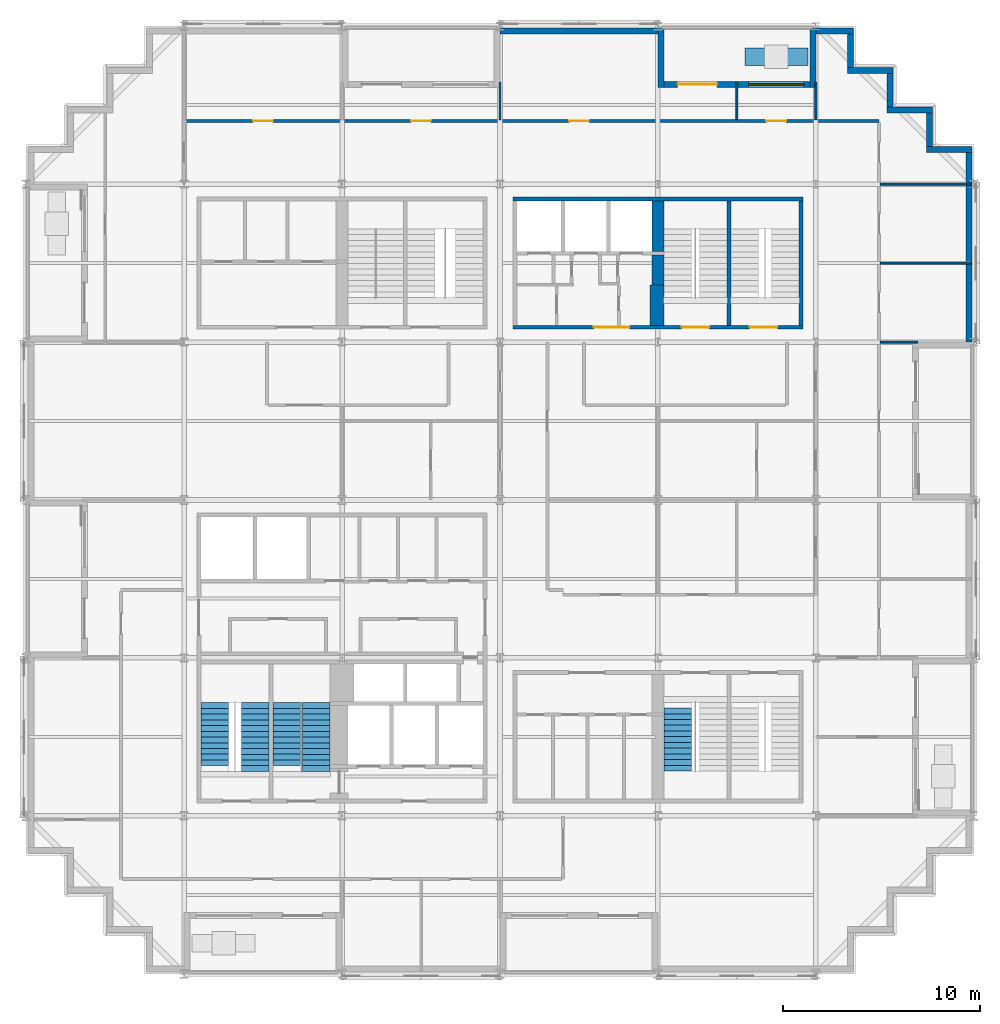
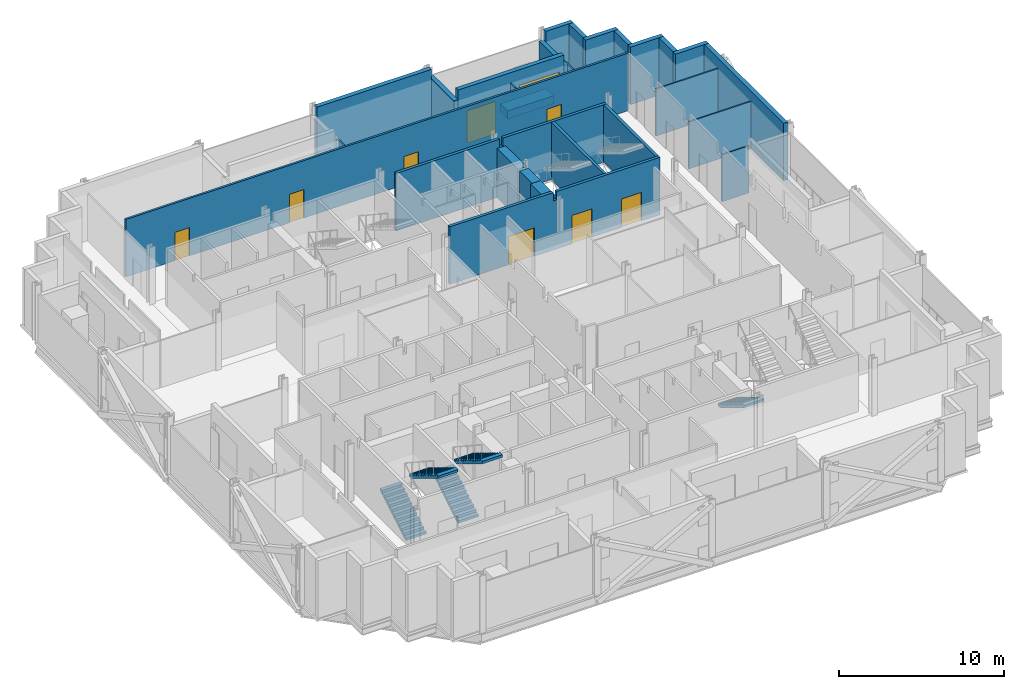
# One storey, part 11 of 15: 27 walls, 8 doors, 5 stair flights, 1 window, 9 openings, 3 elements without a shape of their own.
"""IFC4 building model written with IfcOpenShell, lengths in metres."""

from ifc_helpers import new_model, si_unit, direction, frame, frame_2d, origin, place, context, subcontext, project, spatial, polyline, rectangle, outline, extrude, material, layer, layer_set, type_object, element, fill, aggregate, save


model = new_model("IFC4")

# Units and contexts
model_context = context("Model", 3, precision=1e-05, world=origin(), true_north=direction((0.0, 1.0)))
body_context = subcontext(model_context, "Body", "Model", "MODEL_VIEW")
ifc_project = project(units=[si_unit("LENGTHUNIT", "METRE"), si_unit("AREAUNIT", "SQUARE_METRE"), si_unit("VOLUMEUNIT", "CUBIC_METRE"), si_unit("PLANEANGLEUNIT", "RADIAN"), si_unit("MASSUNIT", "GRAM", prefix="KILO")], contexts=[model_context])

# Site, building, storey
site_placement = place(None, origin())
site = spatial("IfcSite", under=ifc_project, at=site_placement, CompositionType="ELEMENT")
building_placement = place(site_placement, origin())
building = spatial("IfcBuilding", under=site, at=building_placement, Name="Immortelle Media Tower", CompositionType="ELEMENT")
storey_placement = place(building_placement, frame((0.0, 0.0, 87.60009765625)))
storey = spatial("IfcBuildingStorey", under=building, at=storey_placement, Name="L16", CompositionType="ELEMENT", Elevation=87.60009765625)

# Wall, openings, doors
ifc_material_1 = material(Name="Fire-rated gypsum board", Category="gypsum")
ifc_layer_1 = layer(ifc_material_1, 0.012451171875)
ifc_material_2 = material(Name="Steel ASTM A653 SS Gr 50 stud frame with mineral wool", Category="steel")
ifc_layer_2 = layer(ifc_material_2, 0.125)
ifc_layer_3 = layer(ifc_material_1, 0.012451171875)
ifc_layer_set_1 = layer_set([ifc_layer_1, ifc_layer_2, ifc_layer_3], Name="Steel ASTM A653 SS Gr 50 stud frame with mineral wool")
wall_type_1 = type_object("IfcWallType", Name="Corridor wall 150", PredefinedType="PARTITIONING", material=ifc_layer_set_1)
wall_1_placement = place(storey_placement, frame((8.050048828125, 43.199951171875, 0.0), z_axis=(0.0, 0.0, 1.0), x_axis=(1.0, 0.0, 0.0)))
wall_1 = element("IfcWall", 1, at=wall_1_placement, inside=storey, type_object=wall_type_1, Name="Partition L16-051", PredefinedType="PARTITIONING", context=body_context, shape_type="SweptSolid", body=[
    extrude(rectangle(XDim=35.14990234375, YDim=0.14990234375, at=frame_2d((17.574951171875, 0.0))), origin(), (0.0, 0.0, 1.0), 4.25),
])
opening_1_placement = place(wall_1_placement, frame((3.449951171875, 0.0, 0.0)))
opening_1 = element("IfcOpeningElement", 2, at=opening_1_placement, cuts=wall_1, Name="Opening N5-F027", PredefinedType="OPENING", context=body_context, shape_type="SweptSolid", body=[
    extrude(rectangle(XDim=1.0, YDim=2.10009765625, at=frame_2d((0.5, 1.050048828125))), frame((0.0, 0.0849609375, 0.0), z_axis=(0.0, -1.0, 0.0), x_axis=(1.0, 0.0, 0.0)), (0.0, 0.0, 1.0), 0.169921875),
])
opening_2_placement = place(wall_1_placement, frame((11.449951171875, 0.0, 0.0)))
opening_2 = element("IfcOpeningElement", 3, at=opening_2_placement, cuts=wall_1, Name="Opening N5-F028", PredefinedType="OPENING", context=body_context, shape_type="SweptSolid", body=[
    extrude(rectangle(XDim=1.0, YDim=2.10009765625, at=frame_2d((0.5, 1.050048828125))), frame((0.0, 0.0849609375, 0.0), z_axis=(0.0, -1.0, 0.0), x_axis=(1.0, 0.0, 0.0)), (0.0, 0.0, 1.0), 0.169921875),
])
opening_3_placement = place(wall_1_placement, frame((19.449951171875, 0.0, 0.0)))
opening_3 = element("IfcOpeningElement", 4, at=opening_3_placement, cuts=wall_1, Name="Opening N5-F029", PredefinedType="OPENING", context=body_context, shape_type="SweptSolid", body=[
    extrude(rectangle(XDim=1.0, YDim=2.10009765625, at=frame_2d((0.5, 1.050048828125))), frame((0.0, 0.0849609375, 0.0), z_axis=(0.0, -1.0, 0.0), x_axis=(1.0, 0.0, 0.0)), (0.0, 0.0, 1.0), 0.169921875),
])
opening_4_placement = place(wall_1_placement, frame((29.449951171875, 0.0, 0.0)))
opening_4 = element("IfcOpeningElement", 5, at=opening_4_placement, cuts=wall_1, Name="Opening N5-F030", PredefinedType="OPENING", context=body_context, shape_type="SweptSolid", body=[
    extrude(rectangle(XDim=1.0, YDim=2.10009765625, at=frame_2d((0.5, 1.050048828125))), frame((0.0, 0.0849609375, 0.0), z_axis=(0.0, -1.0, 0.0), x_axis=(1.0, 0.0, 0.0)), (0.0, 0.0, 1.0), 0.169921875),
])
ifc_material_3 = material(Name="Timber veneered door leaf, galvanised steel frame ASTM A653", Category="steel")
door_type_1 = type_object("IfcDoorType", Name="Room door 1000 x 2100", OperationType="NOTDEFINED", PredefinedType="DOOR", material=ifc_material_3)
door_1_placement = place(opening_1_placement, origin())
door_1 = element("IfcDoor", 6, at=door_1_placement, inside=storey, type_object=door_type_1, Name="Door N5-F027", OperationType="SINGLE_SWING_LEFT", OverallHeight=2.10009765625, OverallWidth=1.0, PredefinedType="DOOR", context=body_context, shape_type="SweptSolid", body=[
    extrude(rectangle(XDim=1.0, YDim=2.10009765625, at=frame_2d((0.5, 1.050048828125))), frame((0.0, 0.02490234375, 0.0), z_axis=(0.0, -1.0, 0.0), x_axis=(1.0, 0.0, 0.0)), (0.0, 0.0, 1.0), 0.050048828125),
])
fill(opening_1, door_1)
door_2_placement = place(opening_2_placement, origin())
door_2 = element("IfcDoor", 7, at=door_2_placement, inside=storey, type_object=door_type_1, Name="Door N5-F028", OperationType="SINGLE_SWING_RIGHT", OverallHeight=2.10009765625, OverallWidth=1.0, PredefinedType="DOOR", context=body_context, shape_type="SweptSolid", body=[
    extrude(rectangle(XDim=1.0, YDim=2.10009765625, at=frame_2d((0.5, 1.050048828125))), frame((0.0, 0.02490234375, 0.0), z_axis=(0.0, -1.0, 0.0), x_axis=(1.0, 0.0, 0.0)), (0.0, 0.0, 1.0), 0.050048828125),
])
fill(opening_2, door_2)
door_3_placement = place(opening_3_placement, origin())
door_3 = element("IfcDoor", 8, at=door_3_placement, inside=storey, type_object=door_type_1, Name="Door N5-F029", OperationType="SINGLE_SWING_LEFT", OverallHeight=2.10009765625, OverallWidth=1.0, PredefinedType="DOOR", context=body_context, shape_type="SweptSolid", body=[
    extrude(rectangle(XDim=1.0, YDim=2.10009765625, at=frame_2d((0.5, 1.050048828125))), frame((0.0, 0.02490234375, 0.0), z_axis=(0.0, -1.0, 0.0), x_axis=(1.0, 0.0, 0.0)), (0.0, 0.0, 1.0), 0.050048828125),
])
fill(opening_3, door_3)
door_4_placement = place(opening_4_placement, origin())
door_4 = element("IfcDoor", 9, at=door_4_placement, inside=storey, type_object=door_type_1, Name="Door N5-F030", OperationType="SINGLE_SWING_RIGHT", OverallHeight=2.10009765625, OverallWidth=1.0, PredefinedType="DOOR", context=body_context, shape_type="SweptSolid", body=[
    extrude(rectangle(XDim=1.0, YDim=2.10009765625, at=frame_2d((0.5, 1.050048828125))), frame((0.0, 0.02490234375, 0.0), z_axis=(0.0, -1.0, 0.0), x_axis=(1.0, 0.0, 0.0)), (0.0, 0.0, 1.0), 0.050048828125),
])
fill(opening_4, door_4)

# Walls
ifc_material_4 = material(Name="Pale aluminium cladding panel", Category="aluminium")
ifc_layer_4 = layer(ifc_material_4, 0.030029296875)
ifc_layer_5 = layer(ifc_material_2, 0.257568359375)
ifc_material_5 = material(Name="Moisture-resistant gypsum board", Category="gypsum")
ifc_layer_6 = layer(ifc_material_5, 0.012451171875)
ifc_layer_set_2 = layer_set([ifc_layer_4, ifc_layer_5, ifc_layer_6], Name="Steel ASTM A653 SS Gr 50 stud frame with mineral wool")
wall_type_2 = type_object("IfcWallType", Name="Facade wall 300", PredefinedType="SOLIDWALL", material=ifc_layer_set_2)
wall_2_placement = place(storey_placement, frame((47.75, 32.0, 0.0), z_axis=(0.0, 0.0, 1.0), x_axis=(0.0, 1.0, 0.0)))
element("IfcWall", 10, at=wall_2_placement, inside=storey, type_object=wall_type_2, Name="Facade wall L16 E14", PredefinedType="SOLIDWALL", context=body_context, shape_type="SweptSolid", body=[
    extrude(rectangle(XDim=9.60009765625, YDim=0.300048828125, at=frame_2d((4.800048828125, 0.0))), origin(), (0.0, 0.0, 1.0), 4.25),
])
wall_3_placement = place(storey_placement, frame((47.89990234375, 41.75, 0.0), z_axis=(0.0, 0.0, 1.0), x_axis=(-1.0, 0.0, 0.0)))
element("IfcWall", 11, at=wall_3_placement, inside=storey, type_object=wall_type_2, Name="Facade wall L16 N15", PredefinedType="SOLIDWALL", context=body_context, shape_type="SweptSolid", body=[
    extrude(rectangle(XDim=2.2998046875, YDim=0.300048828125, at=frame_2d((1.14990234375, 0.0))), origin(), (0.0, 0.0, 1.0), 4.25),
])
wall_4_placement = place(storey_placement, frame((45.75, 41.89990234375, 0.0), z_axis=(0.0, 0.0, 1.0), x_axis=(0.0, 1.0, 0.0)))
element("IfcWall", 12, at=wall_4_placement, inside=storey, type_object=wall_type_2, Name="Facade wall L16 E16", PredefinedType="SOLIDWALL", context=body_context, shape_type="SweptSolid", body=[
    extrude(rectangle(XDim=1.7001953125, YDim=0.300048828125, at=frame_2d((0.85009765625, 0.0))), origin(), (0.0, 0.0, 1.0), 4.25),
])
wall_5_placement = place(storey_placement, frame((45.89990234375, 43.75, 0.0), z_axis=(0.0, 0.0, 1.0), x_axis=(-1.0, 0.0, 0.0)))
element("IfcWall", 13, at=wall_5_placement, inside=storey, type_object=wall_type_2, Name="Facade wall L16 N17", PredefinedType="SOLIDWALL", context=body_context, shape_type="SweptSolid", body=[
    extrude(rectangle(XDim=2.2998046875, YDim=0.300048828125, at=frame_2d((1.14990234375, 0.0))), origin(), (0.0, 0.0, 1.0), 4.25),
])
wall_6_placement = place(storey_placement, frame((43.75, 43.89990234375, 0.0), z_axis=(0.0, 0.0, 1.0), x_axis=(0.0, 1.0, 0.0)))
element("IfcWall", 14, at=wall_6_placement, inside=storey, type_object=wall_type_2, Name="Facade wall L16 E18", PredefinedType="SOLIDWALL", context=body_context, shape_type="SweptSolid", body=[
    extrude(rectangle(XDim=1.7001953125, YDim=0.300048828125, at=frame_2d((0.85009765625, 0.0))), origin(), (0.0, 0.0, 1.0), 4.25),
])
wall_7_placement = place(storey_placement, frame((43.89990234375, 45.75, 0.0), z_axis=(0.0, 0.0, 1.0), x_axis=(-1.0, 0.0, 0.0)))
element("IfcWall", 15, at=wall_7_placement, inside=storey, type_object=wall_type_2, Name="Facade wall L16 N19", PredefinedType="SOLIDWALL", context=body_context, shape_type="SweptSolid", body=[
    extrude(rectangle(XDim=2.2998046875, YDim=0.300048828125, at=frame_2d((1.14990234375, 0.0))), origin(), (0.0, 0.0, 1.0), 4.25),
])
wall_8_placement = place(storey_placement, frame((41.75, 45.89990234375, 0.0), z_axis=(0.0, 0.0, 1.0), x_axis=(0.0, 1.0, 0.0)))
element("IfcWall", 16, at=wall_8_placement, inside=storey, type_object=wall_type_2, Name="Facade wall L16 E20", PredefinedType="SOLIDWALL", context=body_context, shape_type="SweptSolid", body=[
    extrude(rectangle(XDim=1.7001953125, YDim=0.300048828125, at=frame_2d((0.85009765625, 0.0))), origin(), (0.0, 0.0, 1.0), 4.25),
])
wall_9_placement = place(storey_placement, frame((41.89990234375, 47.75, 0.0), z_axis=(0.0, 0.0, 1.0), x_axis=(-1.0, 0.0, 0.0)))
element("IfcWall", 17, at=wall_9_placement, inside=storey, type_object=wall_type_2, Name="Facade wall L16 N21", PredefinedType="SOLIDWALL", context=body_context, shape_type="SweptSolid", body=[
    extrude(rectangle(XDim=1.89990234375, YDim=0.300048828125, at=frame_2d((0.949951171875, 0.0))), origin(), (0.0, 0.0, 1.0), 4.25),
])

# Wall, openings, door, window
wall_10_placement = place(storey_placement, frame((39.699951171875, 45.050048828125, 0.0), z_axis=(0.0, 0.0, 1.0), x_axis=(-1.0, 0.0, 0.0)))
wall_10 = element("IfcWall", 18, at=wall_10_placement, inside=storey, type_object=wall_type_2, Name="Loggia wall L16 N21", PredefinedType="SOLIDWALL", context=body_context, shape_type="SweptSolid", body=[
    extrude(rectangle(XDim=7.39990234375, YDim=0.300048828125, at=frame_2d((3.699951171875, 0.0))), origin(), (0.0, 0.0, 1.0), 4.25),
])
opening_5_placement = place(wall_10_placement, frame((0.300048828125, 0.0, 0.89990234375)))
opening_5 = element("IfcOpeningElement", 19, at=opening_5_placement, cuts=wall_10, Name="Opening W1", PredefinedType="OPENING", context=body_context, shape_type="SweptSolid", body=[
    extrude(rectangle(XDim=2.800048828125, YDim=2.199951171875, at=frame_2d((1.39990234375, 1.10009765625))), frame((0.0, 0.159912109375, 0.0), z_axis=(0.0, -1.0, 0.0), x_axis=(1.0, 0.0, 0.0)), (0.0, 0.0, 1.0), 0.320068359375),
])
opening_6_placement = place(wall_10_placement, frame((4.699951171875, 0.0, 0.0)))
opening_6 = element("IfcOpeningElement", 20, at=opening_6_placement, cuts=wall_10, Name="Opening N5-E007", PredefinedType="OPENING", context=body_context, shape_type="SweptSolid", body=[
    extrude(rectangle(XDim=2.0, YDim=2.39990234375, at=frame_2d((1.0, 1.199951171875))), frame((0.0, 0.159912109375, 0.0), z_axis=(0.0, -1.0, 0.0), x_axis=(1.0, 0.0, 0.0)), (0.0, 0.0, 1.0), 0.320068359375),
])
ifc_material_6 = material(Name="Aluminium frame, glazed leaves", Category="aluminium")
door_type_2 = type_object("IfcDoorType", Name="Loggia door 2000 x 2400", OperationType="DOUBLE_DOOR_SINGLE_SWING", PredefinedType="DOOR", material=ifc_material_6)
door_5_placement = place(opening_6_placement, origin())
door_5 = element("IfcDoor", 21, at=door_5_placement, inside=storey, type_object=door_type_2, Name="Door N5-E007", OperationType="DOUBLE_DOOR_SINGLE_SWING", OverallHeight=2.39990234375, OverallWidth=2.0, PredefinedType="DOOR", context=body_context, shape_type="SweptSolid", body=[
    extrude(rectangle(XDim=2.0, YDim=2.39990234375, at=frame_2d((1.0, 1.199951171875))), frame((0.0, 0.02490234375, 0.0), z_axis=(0.0, -1.0, 0.0), x_axis=(1.0, 0.0, 0.0)), (0.0, 0.0, 1.0), 0.050048828125),
])
fill(opening_6, door_5)
ifc_material_7 = material(Name="Aluminium frame", Category="aluminium")
window_type = type_object("IfcWindowType", Name="Window 2800 x 2200", PartitioningType="SINGLE_PANEL", PredefinedType="WINDOW", material=ifc_material_7)
window_placement = place(opening_5_placement, origin())
window = element("IfcWindow", 22, at=window_placement, inside=storey, type_object=window_type, Name="Window L16 L16-R21-B0", OverallHeight=2.199951171875, OverallWidth=2.800048828125, PartitioningType="SINGLE_PANEL", PredefinedType="WINDOW", context=body_context, shape_type="SweptSolid", body=[
    extrude(rectangle(XDim=2.800048828125, YDim=2.199951171875, at=frame_2d((1.39990234375, 1.10009765625))), frame((0.0, 0.030029296875, 0.0), z_axis=(0.0, -1.0, 0.0), x_axis=(1.0, 0.0, 0.0)), (0.0, 0.0, 1.0), 0.06005859375),
])
fill(opening_5, window)

# Walls
wall_11_placement = place(storey_placement, frame((39.85009765625, 47.89990234375, 0.0), z_axis=(0.0, 0.0, 1.0), x_axis=(0.0, -1.0, 0.0)))
element("IfcWall", 23, at=wall_11_placement, inside=storey, type_object=wall_type_2, Name="Loggia cheek wall L16 N", PredefinedType="SOLIDWALL", context=body_context, shape_type="SweptSolid", body=[
    extrude(rectangle(XDim=3.0, YDim=0.300048828125, at=frame_2d((1.5, 0.0))), origin(), (0.0, 0.0, 1.0), 3.468994140625),
])
wall_12_placement = place(storey_placement, frame((32.14990234375, 47.89990234375, 0.0), z_axis=(0.0, 0.0, 1.0), x_axis=(0.0, -1.0, 0.0)))
element("IfcWall", 24, at=wall_12_placement, inside=storey, type_object=wall_type_2, Name="Loggia cheek wall L16 N", PredefinedType="SOLIDWALL", context=body_context, shape_type="SweptSolid", body=[
    extrude(rectangle(XDim=3.0, YDim=0.300048828125, at=frame_2d((1.5, 0.0))), origin(), (0.0, 0.0, 1.0), 3.555908203125),
])
wall_13_placement = place(storey_placement, frame((32.0, 47.75, 0.0), z_axis=(0.0, 0.0, 1.0), x_axis=(-1.0, 0.0, 0.0)))
element("IfcWall", 25, at=wall_13_placement, inside=storey, type_object=wall_type_2, Name="Facade wall L16 N21", PredefinedType="SOLIDWALL", context=body_context, shape_type="SweptSolid", body=[
    extrude(rectangle(XDim=8.0, YDim=0.300048828125, at=frame_2d((4.0, 0.0))), origin(), (0.0, 0.0, 1.0), 4.25),
])
ifc_material_8 = material(Name="Gypsum board", Category="gypsum")
ifc_layer_7 = layer(ifc_material_8, 0.012451171875)
ifc_layer_8 = layer(ifc_material_2, 0.074951171875)
ifc_layer_9 = layer(ifc_material_8, 0.012451171875)
ifc_layer_set_3 = layer_set([ifc_layer_7, ifc_layer_8, ifc_layer_9], Name="Steel ASTM A653 SS Gr 50 stud frame with mineral wool")
wall_type_3 = type_object("IfcWallType", Name="Partition 100", PredefinedType="PARTITIONING", material=ifc_layer_set_3)
wall_14_placement = place(storey_placement, frame((43.27490234375, 32.0, 0.0), z_axis=(0.0, 0.0, 1.0), x_axis=(1.0, 0.0, 0.0)))
element("IfcWall", 26, at=wall_14_placement, inside=storey, type_object=wall_type_3, Name="Partition L16-047", PredefinedType="PARTITIONING", context=body_context, shape_type="SweptSolid", body=[
    extrude(rectangle(XDim=1.89501953125, YDim=0.10009765625, at=frame_2d((0.947509765625, 0.0))), origin(), (0.0, 0.0, 1.0), 3.469970703125),
])
for number, where, z_axis, x_axis, name in (
    (27, (43.27490234375, 36.0, 0.0), (0.0, 0.0, 1.0), (1.0, 0.0, 0.0), "Partition L16-048"),
    (28, (43.27490234375, 40.0, 0.0), (0.0, 0.0, 1.0), (1.0, 0.0, 0.0), "Partition L16-049"),
):
    element("IfcWall", number, at=place(storey_placement, frame(where, z_axis=z_axis, x_axis=x_axis)), inside=storey, type_object=wall_type_3, Name=name, PredefinedType="PARTITIONING", context=body_context, shape_type="SweptSolid", body=[
        extrude(rectangle(XDim=4.59521484375, YDim=0.10009765625, at=frame_2d((2.297607421875, 0.0))), origin(), (0.0, 0.0, 1.0), 3.469970703125),
    ])
for number, where, z_axis, x_axis, name in (
    (29, (24.0, 43.27490234375, 0.0), (0.0, 0.0, 1.0), (0.0, 1.0, 0.0), "Partition L16-054"),
    (30, (36.0, 43.27490234375, 0.0), (0.0, 0.0, 1.0), (0.0, 1.0, 0.0), "Partition L16-055"),
    (31, (40.0, 43.27490234375, 0.0), (0.0, 0.0, 1.0), (0.0, 1.0, 0.0), "Partition L16-056"),
):
    element("IfcWall", number, at=place(storey_placement, frame(where, z_axis=z_axis, x_axis=x_axis)), inside=storey, type_object=wall_type_3, Name=name, PredefinedType="PARTITIONING", context=body_context, shape_type="SweptSolid", body=[
        extrude(rectangle(XDim=1.89501953125, YDim=0.10009765625, at=frame_2d((0.947509765625, 0.0))), origin(), (0.0, 0.0, 1.0), 3.469970703125),
    ])
ifc_layer_10 = layer(ifc_material_4, 0.0029296875)
ifc_material_9 = material(Name="Steel ASTM A572 Gr 50 planter shell", Category="steel")
ifc_layer_11 = layer(ifc_material_9, 0.011962890625)
ifc_material_10 = material(Name="Planting substrate", Category="soil")
ifc_layer_12 = layer(ifc_material_10, 0.873046875)
ifc_layer_13 = layer(ifc_material_9, 0.011962890625)
ifc_layer_set_4 = layer_set([ifc_layer_10, ifc_layer_11, ifc_layer_12, ifc_layer_13], Name="Steel ASTM A572 Gr 50 planter shell")
wall_type_4 = type_object("IfcWallType", Name="Planter wall 900", PredefinedType="SOLIDWALL", material=ifc_layer_set_4)
wall_15_placement = place(storey_placement, frame((39.60009765625, 46.449951171875, 0.0), z_axis=(0.0, 0.0, 1.0), x_axis=(-1.0, 0.0, 0.0)))
element("IfcWall", 32, at=wall_15_placement, inside=storey, type_object=wall_type_4, Name="Planter L16 N0", PredefinedType="SOLIDWALL", context=body_context, shape_type="SweptSolid", body=[
    extrude(rectangle(XDim=3.2001953125, YDim=0.89990234375, at=frame_2d((1.60009765625, 0.0))), origin(), (0.0, 0.0, 1.0), 0.599853515625),
])

# Wall, openings, doors
ifc_material_11 = material(Name="Concrete C60", Category="concrete")
ifc_layer_14 = layer(ifc_material_11, 0.199951171875)
ifc_layer_set_5 = layer_set([ifc_layer_14], Name="Concrete C60")
wall_type_5 = type_object("IfcWallType", Name="Stair shaft wall 200", PredefinedType="PARTITIONING", material=ifc_layer_set_5)
wall_16_placement = place(storey_placement, frame((24.64990234375, 32.75, 0.0), z_axis=(0.0, 0.0, 1.0), x_axis=(1.0, 0.0, 0.0)))
wall_16 = element("IfcWall", 33, at=wall_16_placement, inside=storey, type_object=wall_type_5, Name="Stair shaft wall NE", PredefinedType="PARTITIONING", context=body_context, shape_type="SweptSolid", body=[
    extrude(outline(polyline([(0.0, 0.0), (14.7001953125, 0.0), (14.699951171875, 4.25), (7.469482421875, 4.25), (7.468505859375, 3.6318359375), (7.2314453125, 3.6318359375), (7.23046875, 4.25), (0.0, 4.25), (0.0, 0.0)])), frame((0.0, 0.10009765625, 0.0), z_axis=(0.0, -1.0, 0.0), x_axis=(1.0, 0.0, 0.0)), (0.0, 0.0, 1.0), 0.199951171875),
])
opening_7_placement = place(wall_16_placement, frame((4.10009765625, 0.0, 0.0)))
opening_7 = element("IfcOpeningElement", 34, at=opening_7_placement, cuts=wall_16, Name="Opening N5-K034", PredefinedType="OPENING", context=body_context, shape_type="SweptSolid", body=[
    extrude(rectangle(XDim=1.800048828125, YDim=2.10009765625, at=frame_2d((0.89990234375, 1.050048828125))), frame((0.0, 0.10986328125, 0.0), z_axis=(0.0, -1.0, 0.0), x_axis=(1.0, 0.0, 0.0)), (0.0, 0.0, 1.0), 0.219970703125),
])
opening_8_placement = place(wall_16_placement, frame((8.550048828125, 0.0, 0.0)))
opening_8 = element("IfcOpeningElement", 35, at=opening_8_placement, cuts=wall_16, Name="Opening N5-K038", PredefinedType="OPENING", context=body_context, shape_type="SweptSolid", body=[
    extrude(rectangle(XDim=1.39990234375, YDim=2.10009765625, at=frame_2d((0.699951171875, 1.050048828125))), frame((0.0, 0.10986328125, 0.0), z_axis=(0.0, -1.0, 0.0), x_axis=(1.0, 0.0, 0.0)), (0.0, 0.0, 1.0), 0.219970703125),
])
opening_9_placement = place(wall_16_placement, frame((12.0, 0.0, 0.0)))
opening_9 = element("IfcOpeningElement", 36, at=opening_9_placement, cuts=wall_16, Name="Opening N5-K039", PredefinedType="OPENING", context=body_context, shape_type="SweptSolid", body=[
    extrude(rectangle(XDim=1.39990234375, YDim=2.10009765625, at=frame_2d((0.699951171875, 1.050048828125))), frame((0.0, 0.10986328125, 0.0), z_axis=(0.0, -1.0, 0.0), x_axis=(1.0, 0.0, 0.0)), (0.0, 0.0, 1.0), 0.219970703125),
])
ifc_material_12 = material(Name="Galvanised steel door leaf and frame ASTM A653", Category="steel")
door_type_3 = type_object("IfcDoorType", Name="Lift lobby door 1800 x 2100", OperationType="DOUBLE_DOOR_SINGLE_SWING", PredefinedType="NOTDEFINED", material=ifc_material_12)
door_6_placement = place(opening_7_placement, origin())
door_6 = element("IfcDoor", 37, at=door_6_placement, inside=storey, type_object=door_type_3, Name="Lift lobby N5-K034", OperationType="DOUBLE_DOOR_SINGLE_SWING", OverallHeight=2.10009765625, OverallWidth=1.800048828125, PredefinedType="NOTDEFINED", context=body_context, shape_type="SweptSolid", body=[
    extrude(rectangle(XDim=1.800048828125, YDim=2.10009765625, at=frame_2d((0.89990234375, 1.050048828125))), frame((0.0, 0.02490234375, 0.0), z_axis=(0.0, -1.0, 0.0), x_axis=(1.0, 0.0, 0.0)), (0.0, 0.0, 1.0), 0.050048828125),
])
fill(opening_7, door_6)
door_type_4 = type_object("IfcDoorType", Name="Stair door 1400 x 2100", OperationType="DOUBLE_DOOR_SINGLE_SWING", PredefinedType="NOTDEFINED", material=ifc_material_12)
door_7_placement = place(opening_8_placement, origin())
door_7 = element("IfcDoor", 38, at=door_7_placement, inside=storey, type_object=door_type_4, Name="Stair N5-K038", OperationType="DOUBLE_DOOR_SINGLE_SWING", OverallHeight=2.10009765625, OverallWidth=1.39990234375, PredefinedType="NOTDEFINED", context=body_context, shape_type="SweptSolid", body=[
    extrude(rectangle(XDim=1.39990234375, YDim=2.10009765625, at=frame_2d((0.699951171875, 1.050048828125))), frame((0.0, 0.02490234375, 0.0), z_axis=(0.0, -1.0, 0.0), x_axis=(1.0, 0.0, 0.0)), (0.0, 0.0, 1.0), 0.050048828125),
])
fill(opening_8, door_7)
door_8_placement = place(opening_9_placement, origin())
door_8 = element("IfcDoor", 39, at=door_8_placement, inside=storey, type_object=door_type_4, Name="Stair N5-K039", OperationType="DOUBLE_DOOR_SINGLE_SWING", OverallHeight=2.10009765625, OverallWidth=1.39990234375, PredefinedType="NOTDEFINED", context=body_context, shape_type="SweptSolid", body=[
    extrude(rectangle(XDim=1.39990234375, YDim=2.10009765625, at=frame_2d((0.699951171875, 1.050048828125))), frame((0.0, 0.02490234375, 0.0), z_axis=(0.0, -1.0, 0.0), x_axis=(1.0, 0.0, 0.0)), (0.0, 0.0, 1.0), 0.050048828125),
])
fill(opening_9, door_8)

# Walls
wall_17_placement = place(storey_placement, frame((24.64990234375, 39.25, 0.0), z_axis=(0.0, 0.0, 1.0), x_axis=(1.0, 0.0, 0.0)))
element("IfcWall", 40, at=wall_17_placement, inside=storey, type_object=wall_type_5, Name="Stair shaft wall NE", PredefinedType="PARTITIONING", context=body_context, shape_type="SweptSolid", body=[
    extrude(outline(polyline([(0.0, 0.0), (14.7001953125, 0.0), (14.699951171875, 4.25), (7.469482421875, 4.25), (7.468505859375, 3.6318359375), (7.2314453125, 3.6318359375), (7.23046875, 4.25), (0.0, 4.25), (0.0, 0.0)])), frame((0.0, 0.10009765625, 0.0), z_axis=(0.0, -1.0, 0.0), x_axis=(1.0, 0.0, 0.0)), (0.0, 0.0, 1.0), 0.199951171875),
])
for number, where, z_axis, x_axis, name in (
    (41, (35.60009765625, 32.85009765625, 0.0), (0.0, 0.0, 1.0), (0.0, 1.0, 0.0), "Stair shaft wall NE"),
    (42, (39.25, 32.85009765625, 0.0), (0.0, 0.0, 1.0), (0.0, 1.0, 0.0), "Stair shaft wall NE"),
):
    element("IfcWall", number, at=place(storey_placement, frame(where, z_axis=z_axis, x_axis=x_axis)), inside=storey, type_object=wall_type_5, Name=name, PredefinedType="PARTITIONING", context=body_context, shape_type="SweptSolid", body=[
        extrude(rectangle(XDim=6.2998046875, YDim=0.199951171875, at=frame_2d((3.14990234375, 0.0))), origin(), (0.0, 0.0, 1.0), 4.25),
    ])
ifc_layer_15 = layer(ifc_material_11, 0.60009765625)
ifc_layer_set_6 = layer_set([ifc_layer_15], Name="Concrete C60")
wall_type_6 = type_object("IfcWallType", Name="Stair shaft wall 600", PredefinedType="PARTITIONING", material=ifc_layer_set_6)
wall_18_placement = place(storey_placement, frame((32.0, 34.89990234375, 0.0), z_axis=(0.0, 0.0, 1.0), x_axis=(0.0, 1.0, 0.0)))
element("IfcWall", 43, at=wall_18_placement, inside=storey, type_object=wall_type_6, Name="Stair shaft wall NE", PredefinedType="PARTITIONING", context=body_context, shape_type="SweptSolid", body=[
    extrude(rectangle(XDim=1.5, YDim=0.60009765625, at=frame_2d((0.75, 0.0))), origin(), (0.0, 0.0, 1.0), 3.6318359375),
])
wall_19_placement = place(storey_placement, frame((32.0, 36.60009765625, 0.0), z_axis=(0.0, 0.0, 1.0), x_axis=(0.0, 1.0, 0.0)))
element("IfcWall", 44, at=wall_19_placement, inside=storey, type_object=wall_type_6, Name="Stair shaft wall NE", PredefinedType="PARTITIONING", context=body_context, shape_type="SweptSolid", body=[
    extrude(rectangle(XDim=2.5498046875, YDim=0.60009765625, at=frame_2d((1.27490234375, 0.0))), origin(), (0.0, 0.0, 1.0), 3.6318359375),
])
ifc_layer_16 = layer(ifc_material_11, 0.699951171875)
ifc_layer_set_7 = layer_set([ifc_layer_16], Name="Concrete C60")
wall_type_7 = type_object("IfcWallType", Name="Stair shaft wall 700", PredefinedType="PARTITIONING", material=ifc_layer_set_7)
wall_20_placement = place(storey_placement, frame((31.949951171875, 32.85009765625, 0.0), z_axis=(0.0, 0.0, 1.0), x_axis=(0.0, 1.0, 0.0)))
element("IfcWall", 45, at=wall_20_placement, inside=storey, type_object=wall_type_7, Name="Stair shaft wall NE", PredefinedType="PARTITIONING", context=body_context, shape_type="SweptSolid", body=[
    extrude(rectangle(XDim=2.0498046875, YDim=0.699951171875, at=frame_2d((1.02490234375, 0.0))), origin(), (0.0, 0.0, 1.0), 3.6318359375),
])

# Stair, stair flights
ifc_material_13 = material(Name="Steel ASTM A992 Gr 50", Category="steel")
stair_type = type_object("IfcStairType", Name="Stair with flights", PredefinedType="DOUBLE_RETURN_STAIR", material=ifc_material_13)
stair_1_placement = place(storey_placement, origin())
stair_1 = element("IfcStair", 46, at=stair_1_placement, inside=storey, type_object=stair_type, Name="Exit stair SW1", PredefinedType="DOUBLE_RETURN_STAIR")
stair_flight_type = type_object("IfcStairFlightType", Name="Stair flight 1400", PredefinedType="STRAIGHT", material=ifc_material_13)
stair_flight_1_placement = place(storey_placement, frame((9.550048828125, 10.5400390625, 0.0), z_axis=(0.0, 0.0, 1.0), x_axis=(0.0, 1.0, 0.0)))
stair_flight_1 = element("IfcStairFlight", 47, at=stair_flight_1_placement, type_object=stair_flight_type, Name="ST SW1 flight 1", NumberOfRisers=12, NumberOfTreads=11, PredefinedType="STRAIGHT", RiserHeight=0.176, TreadLength=0.29, context=body_context, shape_type="SweptSolid", body=[
    extrude(outline(polyline([(0.0, 0.0), (0.0, 0.176025390625), (0.2900390625, 0.176025390625), (0.2900390625, 0.35205078125), (0.580078125, 0.35205078125), (0.580078125, 0.528076171875), (0.8701171875, 0.528076171875), (0.8701171875, 0.7041015625), (1.159912109375, 0.7041015625), (1.159912109375, 0.8798828125), (1.449951171875, 0.8798828125), (1.449951171875, 1.055908203125), (1.739990234375, 1.055908203125), (1.739990234375, 1.23193359375), (2.030029296875, 1.23193359375), (2.030029296875, 1.407958984375), (2.320068359375, 1.407958984375), (2.320068359375, 1.583984375), (2.610107421875, 1.583984375), (2.610107421875, 1.760009765625), (2.89990234375, 1.760009765625), (2.89990234375, 1.93603515625), (3.18994140625, 1.93603515625), (3.18994140625, 2.112060546875), (3.18994140625, 1.7607421875), (0.288818359375, 0.0), (0.0, 0.0)])), frame((0.0, 0.699951171875, 0.0), z_axis=(0.0, -1.0, 0.0), x_axis=(1.0, 0.0, 0.0)), (0.0, 0.0, 1.0), 1.39990234375),
])
stair_flight_2_placement = place(storey_placement, frame((11.60009765625, 13.72998046875, 2.11181640625), z_axis=(0.0, 0.0, 1.0), x_axis=(0.0, -1.0, 0.0)))
stair_flight_2 = element("IfcStairFlight", 48, at=stair_flight_2_placement, type_object=stair_flight_type, Name="ST SW1 flight 2", NumberOfRisers=13, NumberOfTreads=12, PredefinedType="STRAIGHT", RiserHeight=0.176, TreadLength=0.29, context=body_context, shape_type="SweptSolid", body=[
    extrude(outline(polyline([(0.0, 0.0), (0.0, 0.176025390625), (0.2900390625, 0.176025390625), (0.2900390625, 0.35205078125), (0.580078125, 0.35205078125), (0.580078125, 0.528076171875), (0.8701171875, 0.528076171875), (0.8701171875, 0.7041015625), (1.159912109375, 0.7041015625), (1.159912109375, 0.8798828125), (1.449951171875, 0.8798828125), (1.449951171875, 1.055908203125), (1.739990234375, 1.055908203125), (1.739990234375, 1.23193359375), (2.030029296875, 1.23193359375), (2.030029296875, 1.407958984375), (2.320068359375, 1.407958984375), (2.320068359375, 1.583984375), (2.610107421875, 1.583984375), (2.610107421875, 1.760009765625), (2.89990234375, 1.760009765625), (2.89990234375, 1.93603515625), (3.18994140625, 1.93603515625), (3.18994140625, 2.112060546875), (3.47998046875, 2.112060546875), (3.47998046875, 2.2880859375), (3.47998046875, 1.936767578125), (0.288818359375, 0.0), (0.0, 0.0)])), frame((0.0, 0.699951171875, 0.0), z_axis=(0.0, -1.0, 0.0), x_axis=(1.0, 0.0, 0.0)), (0.0, 0.0, 1.0), 1.39990234375),
])
aggregate(stair_1, [stair_flight_1, stair_flight_2])

stair_2_placement = place(storey_placement, origin())
stair_2 = element("IfcStair", 49, at=stair_2_placement, inside=storey, type_object=stair_type, Name="Exit stair SW2", PredefinedType="DOUBLE_RETURN_STAIR")
stair_flight_3_placement = place(storey_placement, frame((13.199951171875, 10.5400390625, 0.0), z_axis=(0.0, 0.0, 1.0), x_axis=(0.0, 1.0, 0.0)))
stair_flight_3 = element("IfcStairFlight", 50, at=stair_flight_3_placement, type_object=stair_flight_type, Name="ST SW2 flight 1", NumberOfRisers=12, NumberOfTreads=11, PredefinedType="STRAIGHT", RiserHeight=0.176, TreadLength=0.29, context=body_context, shape_type="SweptSolid", body=[
    extrude(outline(polyline([(0.0, 0.0), (0.0, 0.176025390625), (0.2900390625, 0.176025390625), (0.2900390625, 0.35205078125), (0.580078125, 0.35205078125), (0.580078125, 0.528076171875), (0.8701171875, 0.528076171875), (0.8701171875, 0.7041015625), (1.159912109375, 0.7041015625), (1.159912109375, 0.8798828125), (1.449951171875, 0.8798828125), (1.449951171875, 1.055908203125), (1.739990234375, 1.055908203125), (1.739990234375, 1.23193359375), (2.030029296875, 1.23193359375), (2.030029296875, 1.407958984375), (2.320068359375, 1.407958984375), (2.320068359375, 1.583984375), (2.610107421875, 1.583984375), (2.610107421875, 1.760009765625), (2.89990234375, 1.760009765625), (2.89990234375, 1.93603515625), (3.18994140625, 1.93603515625), (3.18994140625, 2.112060546875), (3.18994140625, 1.7607421875), (0.288818359375, 0.0), (0.0, 0.0)])), frame((0.0, 0.699951171875, 0.0), z_axis=(0.0, -1.0, 0.0), x_axis=(1.0, 0.0, 0.0)), (0.0, 0.0, 1.0), 1.39990234375),
])
stair_flight_4_placement = place(storey_placement, frame((14.699951171875, 13.72998046875, 2.11181640625), z_axis=(0.0, 0.0, 1.0), x_axis=(0.0, -1.0, 0.0)))
stair_flight_4 = element("IfcStairFlight", 51, at=stair_flight_4_placement, type_object=stair_flight_type, Name="ST SW2 flight 2", NumberOfRisers=13, NumberOfTreads=12, PredefinedType="STRAIGHT", RiserHeight=0.176, TreadLength=0.29, context=body_context, shape_type="SweptSolid", body=[
    extrude(outline(polyline([(0.0, 0.0), (0.0, 0.176025390625), (0.2900390625, 0.176025390625), (0.2900390625, 0.35205078125), (0.580078125, 0.35205078125), (0.580078125, 0.528076171875), (0.8701171875, 0.528076171875), (0.8701171875, 0.7041015625), (1.159912109375, 0.7041015625), (1.159912109375, 0.8798828125), (1.449951171875, 0.8798828125), (1.449951171875, 1.055908203125), (1.739990234375, 1.055908203125), (1.739990234375, 1.23193359375), (2.030029296875, 1.23193359375), (2.030029296875, 1.407958984375), (2.320068359375, 1.407958984375), (2.320068359375, 1.583984375), (2.610107421875, 1.583984375), (2.610107421875, 1.760009765625), (2.89990234375, 1.760009765625), (2.89990234375, 1.93603515625), (3.18994140625, 1.93603515625), (3.18994140625, 2.112060546875), (3.47998046875, 2.112060546875), (3.47998046875, 2.2880859375), (3.47998046875, 1.936767578125), (0.288818359375, 0.0), (0.0, 0.0)])), frame((0.0, 0.699951171875, 0.0), z_axis=(0.0, -1.0, 0.0), x_axis=(1.0, 0.0, 0.0)), (0.0, 0.0, 1.0), 1.39990234375),
])
aggregate(stair_2, [stair_flight_3, stair_flight_4])

# Stair, stair flight
stair_3_placement = place(storey_placement, origin())
stair_3 = element("IfcStair", 52, at=stair_3_placement, inside=storey, type_object=stair_type, Name="Exit stair SE1", PredefinedType="DOUBLE_RETURN_STAIR")
stair_flight_5_placement = place(storey_placement, frame((33.0, 13.4599609375, 0.0), z_axis=(0.0, 0.0, 1.0), x_axis=(0.0, -1.0, 0.0)))
stair_flight_5 = element("IfcStairFlight", 53, at=stair_flight_5_placement, type_object=stair_flight_type, Name="ST SE1 flight 1", NumberOfRisers=12, NumberOfTreads=11, PredefinedType="STRAIGHT", RiserHeight=0.176, TreadLength=0.29, context=body_context, shape_type="SweptSolid", body=[
    extrude(outline(polyline([(0.0, 0.0), (0.0, 0.176025390625), (0.2900390625, 0.176025390625), (0.2900390625, 0.35205078125), (0.580078125, 0.35205078125), (0.580078125, 0.528076171875), (0.8701171875, 0.528076171875), (0.8701171875, 0.7041015625), (1.159912109375, 0.7041015625), (1.159912109375, 0.8798828125), (1.449951171875, 0.8798828125), (1.449951171875, 1.055908203125), (1.739990234375, 1.055908203125), (1.739990234375, 1.23193359375), (2.030029296875, 1.23193359375), (2.030029296875, 1.407958984375), (2.320068359375, 1.407958984375), (2.320068359375, 1.583984375), (2.610107421875, 1.583984375), (2.610107421875, 1.760009765625), (2.89990234375, 1.760009765625), (2.89990234375, 1.93603515625), (3.18994140625, 1.93603515625), (3.18994140625, 2.112060546875), (3.18994140625, 1.7607421875), (0.288818359375, 0.0), (0.0, 0.0)])), frame((0.0, 0.699951171875, 0.0), z_axis=(0.0, -1.0, 0.0), x_axis=(1.0, 0.0, 0.0)), (0.0, 0.0, 1.0), 1.39990234375),
])
aggregate(stair_3, [stair_flight_5])

save(model, "model.ifc")
